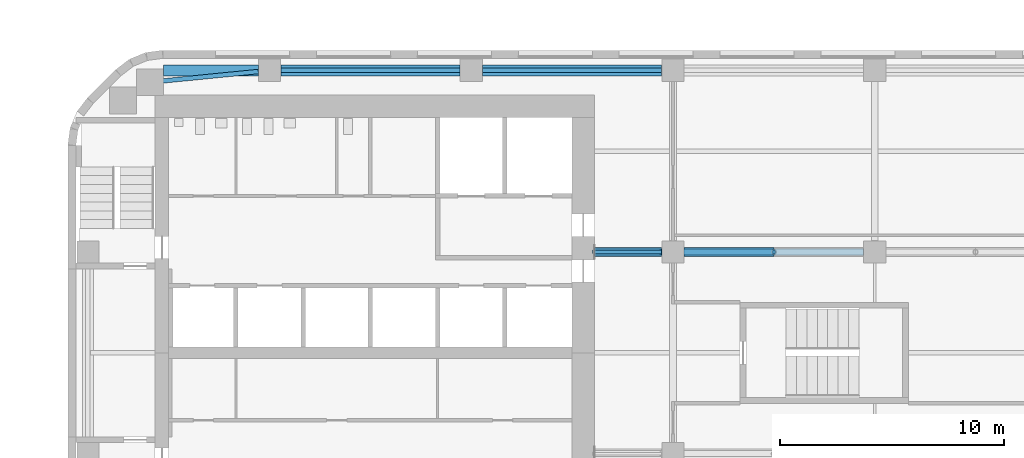
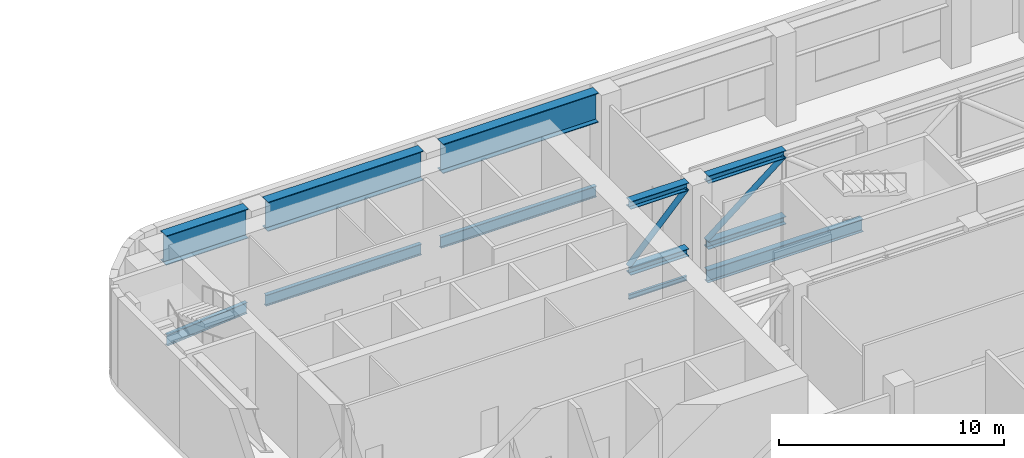
# One storey, part 8 of 23: 8 beams, 6 members.
"""IFC4 building model written with IfcOpenShell, lengths in metres."""

from ifc_helpers import new_model, si_unit, direction, frame, origin, origin_2d, place, context, subcontext, project, spatial, hollow_circle, i_section, extrude, material, material_profile, profile_set, type_object, element, save


model = new_model("IFC4")

# Units and contexts
model_context = context("Model", 3, precision=1e-05, world=origin(), true_north=direction((0.0, 1.0)))
body_context = subcontext(model_context, "Body", "Model", "MODEL_VIEW")
ifc_project = project(units=[si_unit("LENGTHUNIT", "METRE"), si_unit("AREAUNIT", "SQUARE_METRE"), si_unit("VOLUMEUNIT", "CUBIC_METRE"), si_unit("PLANEANGLEUNIT", "RADIAN"), si_unit("MASSUNIT", "GRAM", prefix="KILO")], contexts=[model_context])

# Site, building, storey
site_placement = place(None, origin())
site = spatial("IfcSite", under=ifc_project, at=site_placement, CompositionType="ELEMENT")
building_placement = place(site_placement, origin())
building = spatial("IfcBuilding", under=site, at=building_placement, Name="Cinnabar Reach Civic Tower", CompositionType="ELEMENT")
storey_placement = place(building_placement, frame((0.0, 0.0, 46.0)))
storey = spatial("IfcBuildingStorey", under=building, at=storey_placement, Name="L10", CompositionType="ELEMENT", Elevation=46.0)

# Beams
ifc_material = material(Name="Steel Q355B", Category="steel")
ifc_material_profile_1 = material_profile(ifc_material, i_section(OverallWidth=0.5, OverallDepth=1.6, WebThickness=0.025, FlangeThickness=0.04, at=origin_2d()), Name="BH1600x500x25x40")
ifc_profile_set_1 = profile_set([ifc_material_profile_1], Name="Steel Q355B")
beam_type_1 = type_object("IfcBeamType", Name="BELT BH1600x500x25x40 R 240", PredefinedType="BEAM", material=ifc_profile_set_1)
beam_1_placement = place(storey_placement, frame((4.2686, 44.1, 4.05), z_axis=(1.0, 0.0, 0.0), x_axis=(0.0, 1.0, 0.0)))
element("IfcBeam", 1, at=beam_1_placement, inside=storey, type_object=beam_type_1, Name="BELT girder T1-L10-BG", PredefinedType="BEAM", context=body_context, shape_type="SweptSolid", body=[
    extrude(i_section(OverallWidth=0.5, OverallDepth=1.6, WebThickness=0.025, FlangeThickness=0.04, at=origin_2d()), origin(), (0.0, 0.0, 1.0), 4.2294),
])
for number, where, z_axis, x_axis, name in (
    (2, (9.502, 44.1, 4.05), (1.0, 0.0, 0.0), (0.0, 1.0, 0.0), "BELT girder T1-L10-BG"),
    (3, (18.502, 44.1, 4.05), (1.0, 0.0, 0.0), (0.0, 1.0, 0.0), "BELT girder T1-L10-BG"),
):
    element("IfcBeam", number, at=place(storey_placement, frame(where, z_axis=z_axis, x_axis=x_axis)), inside=storey, type_object=beam_type_1, Name=name, PredefinedType="BEAM", context=body_context, shape_type="SweptSolid", body=[
        extrude(i_section(OverallWidth=0.5, OverallDepth=1.6, WebThickness=0.025, FlangeThickness=0.04, at=origin_2d()), origin(), (0.0, 0.0, 1.0), 7.996),
    ])

# Members
ifc_material_profile_2 = material_profile(ifc_material, hollow_circle(Radius=0.1365, WallThickness=0.01, at=origin_2d()), Name="CHS273x10")
ifc_profile_set_2 = profile_set([ifc_material_profile_2], Name="Steel Q355B")
member_type_1 = type_object("IfcMemberType", Name="CHS273x10 brace R 240", PredefinedType="BRACE", material=ifc_profile_set_2)
member_1_placement = place(storey_placement, frame((23.502, 36.0, 1.264), z_axis=(0.686650451927, 0.0, 0.726987728142), x_axis=(0.0, 1.0, 0.0)))
element("IfcMember", 4, at=member_1_placement, inside=storey, type_object=member_type_1, Name="Outrigger truss diagonal T1-L10-TR-E36", PredefinedType="BRACE", context=body_context, shape_type="SweptSolid", body=[
    extrude(hollow_circle(Radius=0.1365, WallThickness=0.01, at=origin_2d()), origin(), (0.0, 0.0, 1.0), 4.3632),
])
member_2_placement = place(storey_placement, frame((27.502, 36.0, 1.264), z_axis=(0.783385820747, 0.0, 0.621535723714), x_axis=(0.0, 1.0, 0.0)))
element("IfcMember", 5, at=member_2_placement, inside=storey, type_object=member_type_1, Name="Outrigger truss diagonal T1-L10-TR-E36", PredefinedType="BRACE", context=body_context, shape_type="SweptSolid", body=[
    extrude(hollow_circle(Radius=0.1365, WallThickness=0.01, at=origin_2d()), origin(), (0.0, 0.0, 1.0), 5.1035),
])

# Beams
ifc_material_profile_3 = material_profile(ifc_material, i_section(OverallWidth=0.124, OverallDepth=0.248, WebThickness=0.005, FlangeThickness=0.008, FilletRadius=0.013, at=origin_2d()), Name="HN250x125x6x9")
ifc_profile_set_3 = profile_set([ifc_material_profile_3], Name="Steel Q355B")
beam_type_2 = type_object("IfcBeamType", Name="HN250x125x6x9 beam R 180", PredefinedType="BEAM", material=ifc_profile_set_3)
beam_2_placement = place(storey_placement, frame((23.502, 36.0, -0.424), z_axis=(1.0, 0.0, 0.0), x_axis=(0.0, 1.0, 0.0)))
element("IfcBeam", 6, at=beam_2_placement, inside=storey, type_object=beam_type_2, Name="Girder T1 L10 20", PredefinedType="BEAM", context=body_context, shape_type="SweptSolid", body=[
    extrude(i_section(OverallWidth=0.124, OverallDepth=0.248, WebThickness=0.005, FlangeThickness=0.008, FilletRadius=0.013, at=origin_2d()), origin(), (0.0, 0.0, 1.0), 2.996),
])
ifc_material_profile_4 = material_profile(ifc_material, i_section(OverallWidth=0.2, OverallDepth=0.6, WebThickness=0.011, FlangeThickness=0.017, FilletRadius=0.016, at=origin_2d()), Name="HN600x200x11x17")
ifc_profile_set_4 = profile_set([ifc_material_profile_4], Name="Steel Q355B")
beam_type_3 = type_object("IfcBeamType", Name="HN600x200x11x17 beam R 180", PredefinedType="BEAM", material=ifc_profile_set_4)
for number, where, z_axis, x_axis, name in (
    (7, (26.498, 44.1, -0.6), (-1.0, 0.0, 0.0), (0.0, -1.0, 0.0), "Edge beam T1 L10 17"),
    (8, (17.498, 44.1, -0.6), (-1.0, 0.0, 0.0), (0.0, -1.0, 0.0), "Edge beam T1 L10 18"),
):
    element("IfcBeam", number, at=place(storey_placement, frame(where, z_axis=z_axis, x_axis=x_axis)), inside=storey, type_object=beam_type_3, Name=name, PredefinedType="BEAM", context=body_context, shape_type="SweptSolid", body=[
        extrude(i_section(OverallWidth=0.2, OverallDepth=0.6, WebThickness=0.011, FlangeThickness=0.017, FilletRadius=0.016, at=origin_2d()), origin(), (0.0, 0.0, 1.0), 7.996),
    ])
beam_3_placement = place(storey_placement, frame((8.498, 44.0505, -0.6), z_axis=(-0.995166374533, -0.098203294236, 0.0), x_axis=(0.098203294236, -0.995166374533, 0.0)))
element("IfcBeam", 9, at=beam_3_placement, inside=storey, type_object=beam_type_3, Name="Edge beam T1 L10 19", PredefinedType="BEAM", context=body_context, shape_type="SweptSolid", body=[
    extrude(i_section(OverallWidth=0.2, OverallDepth=0.6, WebThickness=0.011, FlangeThickness=0.017, FilletRadius=0.016, at=origin_2d()), origin(), (0.0, 0.0, 1.0), 4.3705),
])
ifc_material_profile_5 = material_profile(ifc_material, i_section(OverallWidth=0.3, OverallDepth=0.7, WebThickness=0.013, FlangeThickness=0.024, FilletRadius=0.02, at=origin_2d()), Name="HN700x300x13x24")
ifc_profile_set_5 = profile_set([ifc_material_profile_5], Name="Steel Q355B")
beam_type_4 = type_object("IfcBeamType", Name="HN700x300x13x24 beam R 180", PredefinedType="BEAM", material=ifc_profile_set_5)
beam_4_placement = place(storey_placement, frame((27.502, 36.0, -0.65), z_axis=(1.0, 0.0, 0.0), x_axis=(0.0, 1.0, 0.0)))
element("IfcBeam", 10, at=beam_4_placement, inside=storey, type_object=beam_type_4, Name="Girder T1 L10 21", PredefinedType="BEAM", context=body_context, shape_type="SweptSolid", body=[
    extrude(i_section(OverallWidth=0.3, OverallDepth=0.7, WebThickness=0.013, FlangeThickness=0.024, FilletRadius=0.02, at=origin_2d()), origin(), (0.0, 0.0, 1.0), 7.996),
])

# Members
ifc_material_profile_6 = material_profile(ifc_material, i_section(OverallWidth=0.405, OverallDepth=0.414, WebThickness=0.018, FlangeThickness=0.028, FilletRadius=0.016, at=origin_2d()), Name="HW414x405x18x28")
ifc_profile_set_6 = profile_set([ifc_material_profile_6], Name="Steel Q355B")
member_type_2 = type_object("IfcMemberType", Name="HW414x405x18x28 chord R 240", PredefinedType="CHORD", material=ifc_profile_set_6)
for number, where, z_axis, x_axis, name in (
    (11, (23.502, 36.0, 4.643), (1.0, 0.0, 0.0), (0.0, 1.0, 0.0), "Outrigger truss chord T1-L10-TR-E36"),
    (12, (23.502, 36.0, 1.057), (1.0, 0.0, 0.0), (0.0, 1.0, 0.0), "Outrigger truss chord T1-L10-TR-E36"),
):
    element("IfcMember", number, at=place(storey_placement, frame(where, z_axis=z_axis, x_axis=x_axis)), inside=storey, type_object=member_type_2, Name=name, PredefinedType="CHORD", context=body_context, shape_type="SweptSolid", body=[
        extrude(i_section(OverallWidth=0.405, OverallDepth=0.414, WebThickness=0.018, FlangeThickness=0.028, FilletRadius=0.016, at=origin_2d()), origin(), (0.0, 0.0, 1.0), 2.996),
    ])
for number, where, z_axis, x_axis, name in (
    (13, (27.502, 36.0, 4.643), (1.0, 0.0, 0.0), (0.0, 1.0, 0.0), "Outrigger truss chord T1-L10-TR-E36"),
    (14, (27.502, 36.0, 1.057), (1.0, 0.0, 0.0), (0.0, 1.0, 0.0), "Outrigger truss chord T1-L10-TR-E36"),
):
    element("IfcMember", number, at=place(storey_placement, frame(where, z_axis=z_axis, x_axis=x_axis)), inside=storey, type_object=member_type_2, Name=name, PredefinedType="CHORD", context=body_context, shape_type="SweptSolid", body=[
        extrude(i_section(OverallWidth=0.405, OverallDepth=0.414, WebThickness=0.018, FlangeThickness=0.028, FilletRadius=0.016, at=origin_2d()), origin(), (0.0, 0.0, 1.0), 3.998),
    ])

save(model, "model.ifc")
